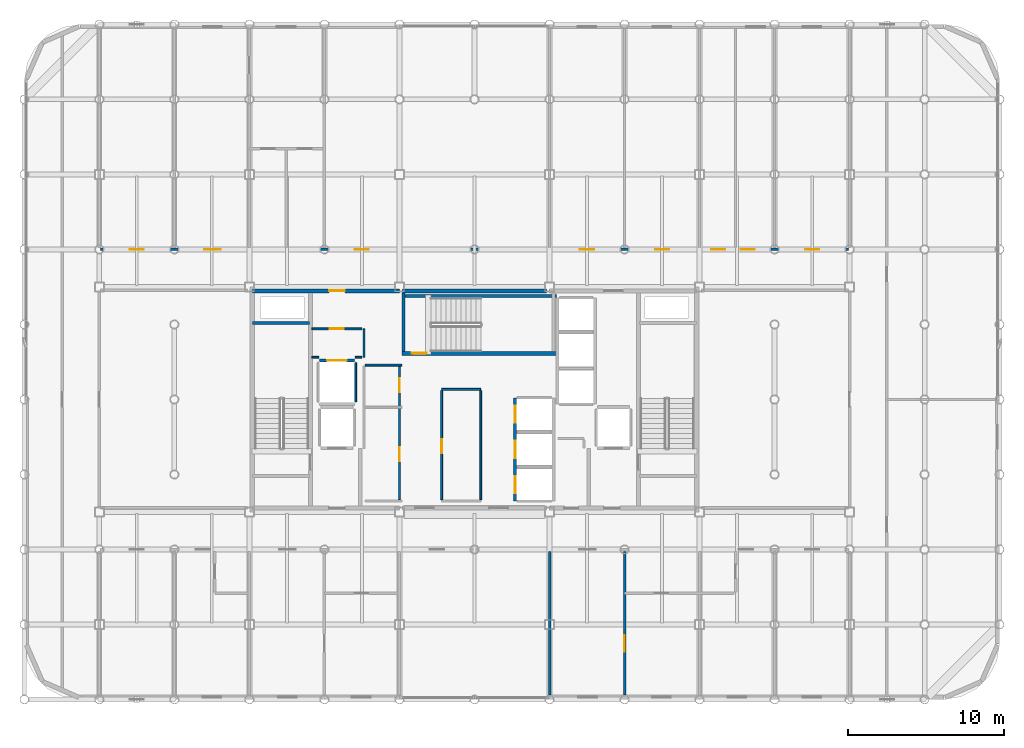
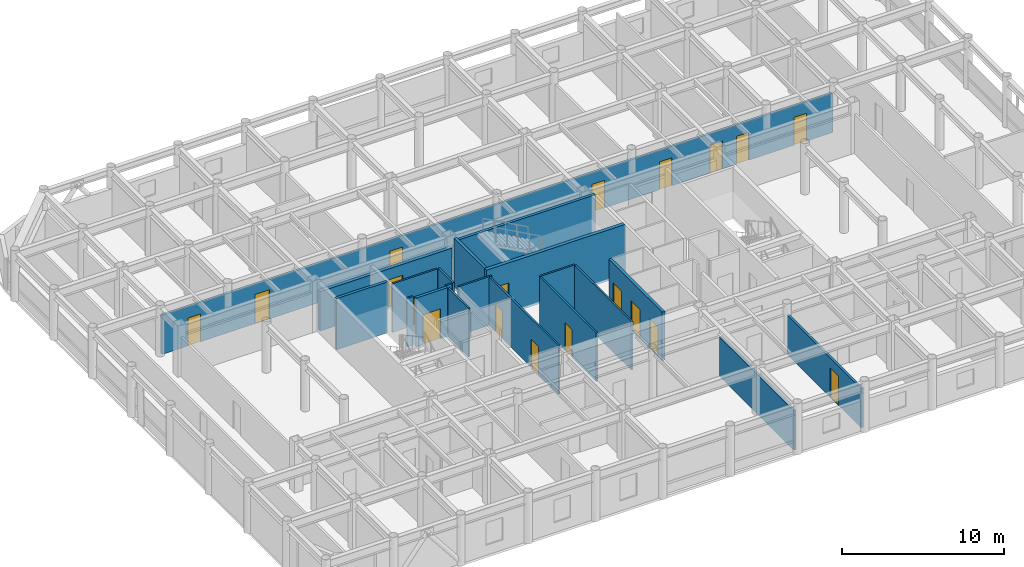
# One storey, part 19 of 22: 21 walls, 19 doors, 19 openings.
"""IFC4 building model written with IfcOpenShell, lengths in metres."""

from ifc_helpers import new_model, si_unit, direction, frame, frame_2d, origin, place, context, subcontext, project, spatial, rectangle, extrude, material, layer, layer_set, type_object, element, fill, save


model = new_model("IFC4")

# Units and contexts
model_context = context("Model", 3, precision=1e-05, world=origin(), true_north=direction((0.0, 1.0)))
body_context = subcontext(model_context, "Body", "Model", "MODEL_VIEW")
ifc_project = project(units=[si_unit("LENGTHUNIT", "METRE"), si_unit("AREAUNIT", "SQUARE_METRE"), si_unit("VOLUMEUNIT", "CUBIC_METRE"), si_unit("PLANEANGLEUNIT", "RADIAN"), si_unit("MASSUNIT", "GRAM", prefix="KILO")], contexts=[model_context])

# Site, building, storey
site_placement = place(None, origin())
site = spatial("IfcSite", under=ifc_project, at=site_placement, CompositionType="ELEMENT")
building_placement = place(site_placement, origin())
building = spatial("IfcBuilding", under=site, at=building_placement, Name="Kallvorn Hotel Tower", CompositionType="ELEMENT")
storey_placement = place(building_placement, frame((0.0, 0.0, 241.550048828125)))
storey = spatial("IfcBuildingStorey", under=building, at=storey_placement, Name="L60", CompositionType="ELEMENT", Elevation=241.550048828125)

# Wall, openings, doors
ifc_material_1 = material(Name="Fire-rated double-layer acoustic gypsum drywall EI 60")
ifc_layer_1 = layer(ifc_material_1, 0.159912109375)
ifc_layer_set_1 = layer_set([ifc_layer_1], Name="WL_DEMISE_160")
wall_type_1 = type_object("IfcWallType", Name="WL_DEMISE_160", PredefinedType="PARTITIONING", material=ifc_layer_set_1)
wall_1_placement = place(storey_placement, frame((-23.919921875, 9.60009765625, 0.0), z_axis=(0.0, 0.0, 1.0), x_axis=(1.0, 0.0, 0.0)))
wall_1 = element("IfcWall", 1, at=wall_1_placement, inside=storey, type_object=wall_type_1, Name="L60 Suite 6005 Junior Living Salon Partition", PredefinedType="PARTITIONING", context=body_context, shape_type="SweptSolid", body=[
    extrude(rectangle(XDim=47.83984375, YDim=0.159912109375, at=frame_2d((23.919921875, 0.0))), origin(), (0.0, 0.0, 1.0), 2.969970703125),
])
opening_1_placement = place(wall_1_placement, frame((1.8701171875, 0.0, 0.0)))
opening_1 = element("IfcOpeningElement", 2, at=opening_1_placement, cuts=wall_1, Name="Opening SVD1", PredefinedType="OPENING", context=body_context, shape_type="SweptSolid", body=[
    extrude(rectangle(XDim=0.89990234375, YDim=2.10009765625, at=frame_2d((0.449951171875, 1.050048828125))), frame((0.0, 0.094970703125, 0.0), z_axis=(0.0, -1.0, 0.0), x_axis=(1.0, 0.0, 0.0)), (0.0, 0.0, 1.0), 0.18994140625),
])
opening_2_placement = place(wall_1_placement, frame((45.070068359375, 0.0, 0.0)))
opening_2 = element("IfcOpeningElement", 3, at=opening_2_placement, cuts=wall_1, Name="Opening SVD1", PredefinedType="OPENING", context=body_context, shape_type="SweptSolid", body=[
    extrude(rectangle(XDim=0.89990234375, YDim=2.10009765625, at=frame_2d((0.449951171875, 1.050048828125))), frame((0.0, 0.094970703125, 0.0), z_axis=(0.0, -1.0, 0.0), x_axis=(1.0, 0.0, 0.0)), (0.0, 0.0, 1.0), 0.18994140625),
])
opening_3_placement = place(wall_1_placement, frame((6.635009765625, 0.0, 0.0)))
opening_3 = element("IfcOpeningElement", 4, at=opening_3_placement, cuts=wall_1, Name="Opening GD2", PredefinedType="OPENING", context=body_context, shape_type="SweptSolid", body=[
    extrude(rectangle(XDim=1.050048828125, YDim=2.199951171875, at=frame_2d((0.52490234375, 1.10009765625))), frame((0.0, 0.094970703125, 0.0), z_axis=(0.0, -1.0, 0.0), x_axis=(1.0, 0.0, 0.0)), (0.0, 0.0, 1.0), 0.18994140625),
])
opening_4_placement = place(wall_1_placement, frame((16.27001953125, 0.0, 0.0)))
opening_4 = element("IfcOpeningElement", 5, at=opening_4_placement, cuts=wall_1, Name="Opening SVD1", PredefinedType="OPENING", context=body_context, shape_type="SweptSolid", body=[
    extrude(rectangle(XDim=0.89990234375, YDim=2.10009765625, at=frame_2d((0.449951171875, 1.050048828125))), frame((0.0, 0.094970703125, 0.0), z_axis=(0.0, -1.0, 0.0), x_axis=(1.0, 0.0, 0.0)), (0.0, 0.0, 1.0), 0.18994140625),
])
opening_5_placement = place(wall_1_placement, frame((30.669921875, 0.0, 0.0)))
opening_5 = element("IfcOpeningElement", 6, at=opening_5_placement, cuts=wall_1, Name="Opening SVD1", PredefinedType="OPENING", context=body_context, shape_type="SweptSolid", body=[
    extrude(rectangle(XDim=0.89990234375, YDim=2.10009765625, at=frame_2d((0.449951171875, 1.050048828125))), frame((0.0, 0.094970703125, 0.0), z_axis=(0.0, -1.0, 0.0), x_axis=(1.0, 0.0, 0.0)), (0.0, 0.0, 1.0), 0.18994140625),
])
opening_6_placement = place(wall_1_placement, frame((35.469970703125, 0.0, 0.0)))
opening_6 = element("IfcOpeningElement", 7, at=opening_6_placement, cuts=wall_1, Name="Opening SVD1", PredefinedType="OPENING", context=body_context, shape_type="SweptSolid", body=[
    extrude(rectangle(XDim=0.89990234375, YDim=2.10009765625, at=frame_2d((0.449951171875, 1.050048828125))), frame((0.0, 0.094970703125, 0.0), z_axis=(0.0, -1.0, 0.0), x_axis=(1.0, 0.0, 0.0)), (0.0, 0.0, 1.0), 0.18994140625),
])
opening_7_placement = place(wall_1_placement, frame((39.070068359375, 0.0, 0.0)))
opening_7 = element("IfcOpeningElement", 8, at=opening_7_placement, cuts=wall_1, Name="Opening SVD1", PredefinedType="OPENING", context=body_context, shape_type="SweptSolid", body=[
    extrude(rectangle(XDim=0.89990234375, YDim=2.10009765625, at=frame_2d((0.449951171875, 1.050048828125))), frame((0.0, 0.094970703125, 0.0), z_axis=(0.0, -1.0, 0.0), x_axis=(1.0, 0.0, 0.0)), (0.0, 0.0, 1.0), 0.18994140625),
])
opening_8_placement = place(wall_1_placement, frame((40.9599609375, 0.0, 0.0)))
opening_8 = element("IfcOpeningElement", 9, at=opening_8_placement, cuts=wall_1, Name="Opening SVD1", PredefinedType="OPENING", context=body_context, shape_type="SweptSolid", body=[
    extrude(rectangle(XDim=0.89990234375, YDim=2.10009765625, at=frame_2d((0.449951171875, 1.050048828125))), frame((0.0, 0.094970703125, 0.0), z_axis=(0.0, -1.0, 0.0), x_axis=(1.0, 0.0, 0.0)), (0.0, 0.0, 1.0), 0.18994140625),
])
ifc_material_2 = material(Name="Galvanised painted steel fire-rated door assembly", Category="steel")
door_type_1 = type_object("IfcDoorType", Name="DR_SERV_900x2100", OperationType="NOTDEFINED", PredefinedType="DOOR", material=ifc_material_2)
door_1_placement = place(opening_1_placement, origin())
door_1 = element("IfcDoor", 10, at=door_1_placement, inside=storey, type_object=door_type_1, Name="L60 L60 High-Zone North-West Reading Salon Door", OperationType="SINGLE_SWING_RIGHT", OverallHeight=2.10009765625, OverallWidth=0.89990234375, PredefinedType="DOOR", context=body_context, shape_type="SweptSolid", body=[
    extrude(rectangle(XDim=0.89990234375, YDim=2.10009765625, at=frame_2d((0.449951171875, 1.050048828125))), frame((0.0, 0.02490234375, 0.0), z_axis=(0.0, -1.0, 0.0), x_axis=(1.0, 0.0, 0.0)), (0.0, 0.0, 1.0), 0.050048828125),
])
fill(opening_1, door_1)
door_2_placement = place(opening_2_placement, origin())
door_2 = element("IfcDoor", 11, at=door_2_placement, inside=storey, type_object=door_type_1, Name="L60 L60 High-Zone North-East Pastry Bar Door", OperationType="SINGLE_SWING_LEFT", OverallHeight=2.10009765625, OverallWidth=0.89990234375, PredefinedType="DOOR", context=body_context, shape_type="SweptSolid", body=[
    extrude(rectangle(XDim=0.89990234375, YDim=2.10009765625, at=frame_2d((0.449951171875, 1.050048828125))), frame((0.0, 0.02490234375, 0.0), z_axis=(0.0, -1.0, 0.0), x_axis=(1.0, 0.0, 0.0)), (0.0, 0.0, 1.0), 0.050048828125),
])
fill(opening_2, door_2)
door_3_placement = place(opening_4_placement, origin())
door_3 = element("IfcDoor", 12, at=door_3_placement, inside=storey, type_object=door_type_1, Name="L60 L60 Restaurant Culinary Catering Kitchen 2 Door", OperationType="SINGLE_SWING_LEFT", OverallHeight=2.10009765625, OverallWidth=0.89990234375, PredefinedType="DOOR", context=body_context, shape_type="SweptSolid", body=[
    extrude(rectangle(XDim=0.89990234375, YDim=2.10009765625, at=frame_2d((0.449951171875, 1.050048828125))), frame((0.0, 0.02490234375, 0.0), z_axis=(0.0, -1.0, 0.0), x_axis=(1.0, 0.0, 0.0)), (0.0, 0.0, 1.0), 0.050048828125),
])
fill(opening_4, door_3)
door_4_placement = place(opening_5_placement, origin())
door_4 = element("IfcDoor", 13, at=door_4_placement, inside=storey, type_object=door_type_1, Name="L60 L60 Panoramic Club Sky Lounge 3-1 Door", OperationType="SINGLE_SWING_LEFT", OverallHeight=2.10009765625, OverallWidth=0.89990234375, PredefinedType="DOOR", context=body_context, shape_type="SweptSolid", body=[
    extrude(rectangle(XDim=0.89990234375, YDim=2.10009765625, at=frame_2d((0.449951171875, 1.050048828125))), frame((0.0, 0.02490234375, 0.0), z_axis=(0.0, -1.0, 0.0), x_axis=(1.0, 0.0, 0.0)), (0.0, 0.0, 1.0), 0.050048828125),
])
fill(opening_5, door_4)
door_5_placement = place(opening_6_placement, origin())
door_5 = element("IfcDoor", 14, at=door_5_placement, inside=storey, type_object=door_type_1, Name="L60 L60 Panoramic Club Sky Lounge 3-2 Door", OperationType="SINGLE_SWING_RIGHT", OverallHeight=2.10009765625, OverallWidth=0.89990234375, PredefinedType="DOOR", context=body_context, shape_type="SweptSolid", body=[
    extrude(rectangle(XDim=0.89990234375, YDim=2.10009765625, at=frame_2d((0.449951171875, 1.050048828125))), frame((0.0, 0.02490234375, 0.0), z_axis=(0.0, -1.0, 0.0), x_axis=(1.0, 0.0, 0.0)), (0.0, 0.0, 1.0), 0.050048828125),
])
fill(opening_6, door_5)
door_6_placement = place(opening_7_placement, origin())
door_6 = element("IfcDoor", 15, at=door_6_placement, inside=storey, type_object=door_type_1, Name="L60 Housekeeping and Linen Room Door", OperationType="SINGLE_SWING_RIGHT", OverallHeight=2.10009765625, OverallWidth=0.89990234375, PredefinedType="DOOR", context=body_context, shape_type="SweptSolid", body=[
    extrude(rectangle(XDim=0.89990234375, YDim=2.10009765625, at=frame_2d((0.449951171875, 1.050048828125))), frame((0.0, 0.02490234375, 0.0), z_axis=(0.0, -1.0, 0.0), x_axis=(1.0, 0.0, 0.0)), (0.0, 0.0, 1.0), 0.050048828125),
])
fill(opening_7, door_6)
door_7_placement = place(opening_8_placement, origin())
door_7 = element("IfcDoor", 16, at=door_7_placement, inside=storey, type_object=door_type_1, Name="L60 Guest Tea and Refreshment Bar Door", OperationType="SINGLE_SWING_LEFT", OverallHeight=2.10009765625, OverallWidth=0.89990234375, PredefinedType="DOOR", context=body_context, shape_type="SweptSolid", body=[
    extrude(rectangle(XDim=0.89990234375, YDim=2.10009765625, at=frame_2d((0.449951171875, 1.050048828125))), frame((0.0, 0.02490234375, 0.0), z_axis=(0.0, -1.0, 0.0), x_axis=(1.0, 0.0, 0.0)), (0.0, 0.0, 1.0), 0.050048828125),
])
fill(opening_8, door_7)
ifc_material_3 = material(Name="Solid-core walnut veneer fire-rated timber door leaf", Category="wood")
door_type_2 = type_object("IfcDoorType", Name="DR_SUITE_1050x2200", OperationType="NOTDEFINED", PredefinedType="DOOR", material=ifc_material_3)
door_8_placement = place(opening_3_placement, origin())
door_8 = element("IfcDoor", 17, at=door_8_placement, inside=storey, type_object=door_type_2, Name="L60 Suite 6005 Junior Living Salon Door", OperationType="SINGLE_SWING_RIGHT", OverallHeight=2.199951171875, OverallWidth=1.050048828125, PredefinedType="DOOR", context=body_context, shape_type="SweptSolid", body=[
    extrude(rectangle(XDim=1.050048828125, YDim=2.199951171875, at=frame_2d((0.52490234375, 1.10009765625))), frame((0.0, 0.02490234375, 0.0), z_axis=(0.0, -1.0, 0.0), x_axis=(1.0, 0.0, 0.0)), (0.0, 0.0, 1.0), 0.050048828125),
])
fill(opening_3, door_8)

# Wall
wall_2_placement = place(storey_placement, frame((4.800048828125, -18.909912109375, 0.0), z_axis=(0.0, 0.0, 1.0), x_axis=(0.0, 1.0, 0.0)))
element("IfcWall", 18, at=wall_2_placement, inside=storey, type_object=wall_type_1, Name="L60 Suite 6003 Executive Living Salon Partition", PredefinedType="PARTITIONING", context=body_context, shape_type="SweptSolid", body=[
    extrude(rectangle(XDim=9.18994140625, YDim=0.159912109375, at=frame_2d((4.594970703125, 0.0))), origin(), (0.0, 0.0, 1.0), 2.969970703125),
])

# Wall, opening, door
wall_3_placement = place(storey_placement, frame((9.60009765625, -18.909912109375, 0.0), z_axis=(0.0, 0.0, 1.0), x_axis=(0.0, 1.0, 0.0)))
wall_3 = element("IfcWall", 19, at=wall_3_placement, inside=storey, type_object=wall_type_1, Name="L60 Suite 6003 Executive Bedroom Partition", PredefinedType="PARTITIONING", context=body_context, shape_type="SweptSolid", body=[
    extrude(rectangle(XDim=9.18994140625, YDim=0.159912109375, at=frame_2d((4.594970703125, 0.0))), origin(), (0.0, 0.0, 1.0), 2.969970703125),
])
opening_9_placement = place(wall_3_placement, frame((2.77490234375, 0.0, 0.0)))
opening_9 = element("IfcOpeningElement", 20, at=opening_9_placement, cuts=wall_3, Name="Opening GD2", PredefinedType="OPENING", context=body_context, shape_type="SweptSolid", body=[
    extrude(rectangle(XDim=1.050048828125, YDim=2.199951171875, at=frame_2d((0.52490234375, 1.10009765625))), frame((0.0, 0.094970703125, 0.0), z_axis=(0.0, -1.0, 0.0), x_axis=(1.0, 0.0, 0.0)), (0.0, 0.0, 1.0), 0.18994140625),
])
door_9_placement = place(opening_9_placement, origin())
door_9 = element("IfcDoor", 21, at=door_9_placement, inside=storey, type_object=door_type_2, Name="L60 Suite 6003 Executive Bedroom Door", OperationType="SINGLE_SWING_LEFT", OverallHeight=2.199951171875, OverallWidth=1.050048828125, PredefinedType="DOOR", context=body_context, shape_type="SweptSolid", body=[
    extrude(rectangle(XDim=1.050048828125, YDim=2.199951171875, at=frame_2d((0.52490234375, 1.10009765625))), frame((0.0, 0.02490234375, 0.0), z_axis=(0.0, -1.0, 0.0), x_axis=(1.0, 0.0, 0.0)), (0.0, 0.0, 1.0), 0.050048828125),
])
fill(opening_9, door_9)

# Walls
ifc_material_4 = material(Name="Concrete C40/50", Category="concrete")
ifc_layer_2 = layer(ifc_material_4, 0.199951171875)
ifc_layer_set_2 = layer_set([ifc_layer_2], Name="WL_HOIST_200")
wall_type_2 = type_object("IfcWallType", Name="WL_HOIST_200", PredefinedType="SOLIDWALL", material=ifc_layer_set_2)
wall_4_placement = place(storey_placement, frame((-14.199951171875, 4.89990234375, -0.179931640625), z_axis=(0.0, 0.0, 1.0), x_axis=(1.0, 0.0, 0.0)))
element("IfcWall", 22, at=wall_4_placement, inside=storey, type_object=wall_type_2, Name="L60 Stair ST1 North Wall", PredefinedType="SOLIDWALL", context=body_context, shape_type="SweptSolid", body=[
    extrude(rectangle(XDim=3.64990234375, YDim=0.199951171875, at=frame_2d((1.824951171875, 0.0))), origin(), (0.0, 0.0, 1.0), 3.849853515625),
])
wall_5_placement = place(storey_placement, frame((-4.64990234375, 6.610107421875, -0.179931640625), z_axis=(0.0, 0.0, 1.0), x_axis=(1.0, 0.0, 0.0)))
element("IfcWall", 23, at=wall_5_placement, inside=storey, type_object=wall_type_2, Name="L60 Stair ST3 Shaft North Wall", PredefinedType="SOLIDWALL", context=body_context, shape_type="SweptSolid", body=[
    extrude(rectangle(XDim=9.89990234375, YDim=0.199951171875, at=frame_2d((4.949951171875, 0.0))), origin(), (0.0, 0.0, 1.0), 3.849853515625),
])
wall_6_placement = place(storey_placement, frame((-4.550048828125, 3.080078125, -0.179931640625), z_axis=(0.0, 0.0, 1.0), x_axis=(0.0, 1.0, 0.0)))
element("IfcWall", 24, at=wall_6_placement, inside=storey, type_object=wall_type_2, Name="L60 Stair ST3 West Wall", PredefinedType="SOLIDWALL", context=body_context, shape_type="SweptSolid", body=[
    extrude(rectangle(XDim=3.739990234375, YDim=0.199951171875, at=frame_2d((1.8701171875, 0.0))), origin(), (0.0, 0.0, 1.0), 3.849853515625),
])

# Wall, openings, doors
wall_7_placement = place(storey_placement, frame((2.60009765625, -6.5, 0.0), z_axis=(0.0, 0.0, 1.0), x_axis=(0.0, 1.0, 0.0)))
wall_7 = element("IfcWall", 25, at=wall_7_placement, inside=storey, type_object=wall_type_2, Name="L60 Lift Bank B3A Landing Wall", PredefinedType="SOLIDWALL", context=body_context, shape_type="SweptSolid", body=[
    extrude(rectangle(XDim=6.60009765625, YDim=0.199951171875, at=frame_2d((3.300048828125, 0.0))), origin(), (0.0, 0.0, 1.0), 3.669921875),
])
opening_10_placement = place(wall_7_placement, frame((0.5, 0.0, 0.0)))
opening_10 = element("IfcOpeningElement", 26, at=opening_10_placement, cuts=wall_7, Name="Opening LD-PL-09", PredefinedType="OPENING", context=body_context, shape_type="SweptSolid", body=[
    extrude(rectangle(XDim=1.10009765625, YDim=2.199951171875, at=frame_2d((0.550048828125, 1.10009765625))), frame((0.0, 0.114990234375, 0.0), z_axis=(0.0, -1.0, 0.0), x_axis=(1.0, 0.0, 0.0)), (0.0, 0.0, 1.0), 0.22998046875),
])
opening_11_placement = place(wall_7_placement, frame((2.75, 0.0, 0.0)))
opening_11 = element("IfcOpeningElement", 27, at=opening_11_placement, cuts=wall_7, Name="Opening LD-PL-10", PredefinedType="OPENING", context=body_context, shape_type="SweptSolid", body=[
    extrude(rectangle(XDim=1.10009765625, YDim=2.199951171875, at=frame_2d((0.550048828125, 1.10009765625))), frame((0.0, 0.114990234375, 0.0), z_axis=(0.0, -1.0, 0.0), x_axis=(1.0, 0.0, 0.0)), (0.0, 0.0, 1.0), 0.22998046875),
])
opening_12_placement = place(wall_7_placement, frame((5.0, 0.0, 0.0)))
opening_12 = element("IfcOpeningElement", 28, at=opening_12_placement, cuts=wall_7, Name="Opening LD-PL-11", PredefinedType="OPENING", context=body_context, shape_type="SweptSolid", body=[
    extrude(rectangle(XDim=1.10009765625, YDim=2.199951171875, at=frame_2d((0.550048828125, 1.10009765625))), frame((0.0, 0.114990234375, 0.0), z_axis=(0.0, -1.0, 0.0), x_axis=(1.0, 0.0, 0.0)), (0.0, 0.0, 1.0), 0.22998046875),
])
ifc_material_5 = material(Name="Brushed stainless-steel automatic sliding lift landing door", Category="steel")
door_type_3 = type_object("IfcDoorType", Name="LD_PASS_1100x2200", OperationType="SLIDING_TO_LEFT", PredefinedType="DOOR", material=ifc_material_5)
door_10_placement = place(opening_10_placement, origin())
door_10 = element("IfcDoor", 29, at=door_10_placement, inside=storey, type_object=door_type_3, Name="L60 Lift Landing Sliding Door LD-PL-09", OperationType="SLIDING_TO_LEFT", OverallHeight=2.199951171875, OverallWidth=1.10009765625, PredefinedType="DOOR", context=body_context, shape_type="SweptSolid", body=[
    extrude(rectangle(XDim=1.10009765625, YDim=2.199951171875, at=frame_2d((0.550048828125, 1.10009765625))), frame((0.0, 0.02490234375, 0.0), z_axis=(0.0, -1.0, 0.0), x_axis=(1.0, 0.0, 0.0)), (0.0, 0.0, 1.0), 0.050048828125),
])
fill(opening_10, door_10)
door_11_placement = place(opening_11_placement, origin())
door_11 = element("IfcDoor", 30, at=door_11_placement, inside=storey, type_object=door_type_3, Name="L60 Lift Landing Sliding Door LD-PL-10", OperationType="SLIDING_TO_LEFT", OverallHeight=2.199951171875, OverallWidth=1.10009765625, PredefinedType="DOOR", context=body_context, shape_type="SweptSolid", body=[
    extrude(rectangle(XDim=1.10009765625, YDim=2.199951171875, at=frame_2d((0.550048828125, 1.10009765625))), frame((0.0, 0.02490234375, 0.0), z_axis=(0.0, -1.0, 0.0), x_axis=(1.0, 0.0, 0.0)), (0.0, 0.0, 1.0), 0.050048828125),
])
fill(opening_11, door_11)
door_12_placement = place(opening_12_placement, origin())
door_12 = element("IfcDoor", 31, at=door_12_placement, inside=storey, type_object=door_type_3, Name="L60 Lift Landing Sliding Door LD-PL-11", OperationType="SLIDING_TO_LEFT", OverallHeight=2.199951171875, OverallWidth=1.10009765625, PredefinedType="DOOR", context=body_context, shape_type="SweptSolid", body=[
    extrude(rectangle(XDim=1.10009765625, YDim=2.199951171875, at=frame_2d((0.550048828125, 1.10009765625))), frame((0.0, 0.02490234375, 0.0), z_axis=(0.0, -1.0, 0.0), x_axis=(1.0, 0.0, 0.0)), (0.0, 0.0, 1.0), 0.050048828125),
])
fill(opening_12, door_12)

# Wall, opening, door
wall_8_placement = place(storey_placement, frame((-9.919921875, 2.5, 0.0), z_axis=(0.0, 0.0, 1.0), x_axis=(1.0, 0.0, 0.0)))
wall_8 = element("IfcWall", 32, at=wall_8_placement, inside=storey, type_object=wall_type_2, Name="L60 SV-01 Landing Wall", PredefinedType="SOLIDWALL", context=body_context, shape_type="SweptSolid", body=[
    extrude(rectangle(XDim=2.239990234375, YDim=0.199951171875, at=frame_2d((1.1201171875, 0.0))), origin(), (0.0, 0.0, 1.0), 3.669921875),
])
opening_13_placement = place(wall_8_placement, frame((0.4951171875, 0.0, 0.0)))
opening_13 = element("IfcOpeningElement", 33, at=opening_13_placement, cuts=wall_8, Name="Opening LD-SV-01", PredefinedType="OPENING", context=body_context, shape_type="SweptSolid", body=[
    extrude(rectangle(XDim=1.25, YDim=2.25, at=frame_2d((0.625, 1.125))), frame((0.0, 0.114990234375, 0.0), z_axis=(0.0, -1.0, 0.0), x_axis=(1.0, 0.0, 0.0)), (0.0, 0.0, 1.0), 0.22998046875),
])
ifc_material_6 = material(Name="Brushed stainless-steel automatic sliding lift landing door", Category="steel")
door_type_4 = type_object("IfcDoorType", Name="LD_SERV_1250x2250", OperationType="SLIDING_TO_LEFT", PredefinedType="DOOR", material=ifc_material_6)
door_13_placement = place(opening_13_placement, origin())
door_13 = element("IfcDoor", 34, at=door_13_placement, inside=storey, type_object=door_type_4, Name="L60 Lift Landing Sliding Door LD-SV-01", OperationType="SLIDING_TO_LEFT", OverallHeight=2.25, OverallWidth=1.25, PredefinedType="DOOR", context=body_context, shape_type="SweptSolid", body=[
    extrude(rectangle(XDim=1.25, YDim=2.25, at=frame_2d((0.625, 1.125))), frame((0.0, 0.02490234375, 0.0), z_axis=(0.0, -1.0, 0.0), x_axis=(1.0, 0.0, 0.0)), (0.0, 0.0, 1.0), 0.050048828125),
])
fill(opening_13, door_13)

# Walls
ifc_material_7 = material(Name="Fire-rated double-layer acoustic gypsum drywall EI 60")
ifc_layer_3 = layer(ifc_material_7, 0.1201171875)
ifc_layer_set_3 = layer_set([ifc_layer_3], Name="WL_INT_120")
wall_type_3 = type_object("IfcWallType", Name="WL_INT_120", PredefinedType="PARTITIONING", material=ifc_layer_set_3)
wall_9_placement = place(storey_placement, frame((-7.60009765625, -0.159912109375, 0.0), z_axis=(0.0, 0.0, 1.0), x_axis=(0.0, 1.0, 0.0)))
element("IfcWall", 35, at=wall_9_placement, inside=storey, type_object=wall_type_3, Name="L60 SV-01 East Shaft Wall", PredefinedType="PARTITIONING", context=body_context, shape_type="SweptSolid", body=[
    extrude(rectangle(XDim=2.52001953125, YDim=0.1201171875, at=frame_2d((1.260009765625, 0.0))), origin(), (0.0, 0.0, 1.0), 3.669921875),
])
wall_10_placement = place(storey_placement, frame((-2.10009765625, 0.64990234375, 0.0), z_axis=(0.0, 0.0, 1.0), x_axis=(1.0, 0.0, 0.0)))
element("IfcWall", 36, at=wall_10_placement, inside=storey, type_object=wall_type_3, Name="L60 High-Zone IT and Tableware Reserve Room Partition", PredefinedType="PARTITIONING", context=body_context, shape_type="SweptSolid", body=[
    extrude(rectangle(XDim=2.5, YDim=0.1201171875, at=frame_2d((1.25, 0.0))), origin(), (0.0, 0.0, 1.0), 3.669921875),
])
wall_11_placement = place(storey_placement, frame((-7.0, 2.199951171875, 0.0), z_axis=(0.0, 0.0, 1.0), x_axis=(1.0, 0.0, 0.0)))
element("IfcWall", 37, at=wall_11_placement, inside=storey, type_object=wall_type_3, Name="L60 Recaptured Housekeeping Prep Room Partition", PredefinedType="PARTITIONING", context=body_context, shape_type="SweptSolid", body=[
    extrude(rectangle(XDim=2.35009765625, YDim=0.1201171875, at=frame_2d((1.175048828125, 0.0))), origin(), (0.0, 0.0, 1.0), 3.669921875),
])
for number, where, z_axis, x_axis, name in (
    (38, (-10.39990234375, 2.699951171875, 0.0), (0.0, 0.0, 1.0), (1.0, 0.0, 0.0), "L60 Core Telecom and Metering Store Partition"),
    (39, (-7.639892578125, 2.699951171875, 0.0), (0.0, 0.0, 1.0), (1.0, 0.0, 0.0), "L60 Core Telecom and Metering Store Partition"),
):
    element("IfcWall", number, at=place(storey_placement, frame(where, z_axis=z_axis, x_axis=x_axis)), inside=storey, type_object=wall_type_3, Name=name, PredefinedType="PARTITIONING", context=body_context, shape_type="SweptSolid", body=[
        extrude(rectangle(XDim=0.43994140625, YDim=0.1201171875, at=frame_2d((0.219970703125, 0.0))), origin(), (0.0, 0.0, 1.0), 3.669921875),
    ])

# Wall, opening, door
wall_12_placement = place(storey_placement, frame((-10.39990234375, 4.52001953125, 0.0), z_axis=(0.0, 0.0, 1.0), x_axis=(1.0, 0.0, 0.0)))
wall_12 = element("IfcWall", 40, at=wall_12_placement, inside=storey, type_object=wall_type_3, Name="L60 Core Telecom and Metering Store Partition", PredefinedType="PARTITIONING", context=body_context, shape_type="SweptSolid", body=[
    extrude(rectangle(XDim=3.199951171875, YDim=0.1201171875, at=frame_2d((1.60009765625, 0.0))), origin(), (0.0, 0.0, 1.0), 3.669921875),
])
opening_14_placement = place(wall_12_placement, frame((1.14990234375, 0.0, 0.0)))
opening_14 = element("IfcOpeningElement", 41, at=opening_14_placement, cuts=wall_12, Name="Opening SVD1", PredefinedType="OPENING", context=body_context, shape_type="SweptSolid", body=[
    extrude(rectangle(XDim=0.89990234375, YDim=2.10009765625, at=frame_2d((0.449951171875, 1.050048828125))), frame((0.0, 0.074951171875, 0.0), z_axis=(0.0, -1.0, 0.0), x_axis=(1.0, 0.0, 0.0)), (0.0, 0.0, 1.0), 0.150146484375),
])
door_14_placement = place(opening_14_placement, origin())
door_14 = element("IfcDoor", 42, at=door_14_placement, inside=storey, type_object=door_type_1, Name="L60 Core Telecom and Metering Store Door", OperationType="SINGLE_SWING_LEFT", OverallHeight=2.10009765625, OverallWidth=0.89990234375, PredefinedType="DOOR", context=body_context, shape_type="SweptSolid", body=[
    extrude(rectangle(XDim=0.89990234375, YDim=2.10009765625, at=frame_2d((0.449951171875, 1.050048828125))), frame((0.0, 0.02490234375, 0.0), z_axis=(0.0, -1.0, 0.0), x_axis=(1.0, 0.0, 0.0)), (0.0, 0.0, 1.0), 0.050048828125),
])
fill(opening_14, door_14)

# Wall
wall_13_placement = place(storey_placement, frame((-7.066650390625, 2.699951171875, 0.0), z_axis=(0.0, 0.0, 1.0), x_axis=(0.0, 1.0, 0.0)))
element("IfcWall", 43, at=wall_13_placement, inside=storey, type_object=wall_type_3, Name="L60 Core Telecom and Metering Store Partition", PredefinedType="PARTITIONING", context=body_context, shape_type="SweptSolid", body=[
    extrude(rectangle(XDim=1.820068359375, YDim=0.1201171875, at=frame_2d((0.91015625, 0.0))), origin(), (0.0, 0.0, 1.0), 3.669921875),
])

# Wall, openings, doors
wall_14_placement = place(storey_placement, frame((-4.800048828125, -6.4150390625, 0.0), z_axis=(0.0, 0.0, 1.0), x_axis=(0.0, 1.0, 0.0)))
wall_14 = element("IfcWall", 44, at=wall_14_placement, inside=storey, type_object=wall_type_3, Name="L60 Recaptured Full-Depth Sommelier Store Partition", PredefinedType="PARTITIONING", context=body_context, shape_type="SweptSolid", body=[
    extrude(rectangle(XDim=8.530029296875, YDim=0.1201171875, at=frame_2d((4.26513671875, 0.0))), origin(), (0.0, 0.0, 1.0), 3.669921875),
])
opening_15_placement = place(wall_14_placement, frame((2.465087890625, 0.0, 0.0)))
opening_15 = element("IfcOpeningElement", 45, at=opening_15_placement, cuts=wall_14, Name="Opening SVD1", PredefinedType="OPENING", context=body_context, shape_type="SweptSolid", body=[
    extrude(rectangle(XDim=0.89990234375, YDim=2.10009765625, at=frame_2d((0.449951171875, 1.050048828125))), frame((0.0, 0.074951171875, 0.0), z_axis=(0.0, -1.0, 0.0), x_axis=(1.0, 0.0, 0.0)), (0.0, 0.0, 1.0), 0.150146484375),
])
opening_16_placement = place(wall_14_placement, frame((6.864990234375, 0.0, 0.0)))
opening_16 = element("IfcOpeningElement", 46, at=opening_16_placement, cuts=wall_14, Name="Opening SVD1", PredefinedType="OPENING", context=body_context, shape_type="SweptSolid", body=[
    extrude(rectangle(XDim=0.89990234375, YDim=2.10009765625, at=frame_2d((0.449951171875, 1.050048828125))), frame((0.0, 0.074951171875, 0.0), z_axis=(0.0, -1.0, 0.0), x_axis=(1.0, 0.0, 0.0)), (0.0, 0.0, 1.0), 0.150146484375),
])
door_15_placement = place(opening_15_placement, origin())
door_15 = element("IfcDoor", 47, at=door_15_placement, inside=storey, type_object=door_type_1, Name="L60 Recaptured Full-Depth Sommelier Store Door", OperationType="SINGLE_SWING_LEFT", OverallHeight=2.10009765625, OverallWidth=0.89990234375, PredefinedType="DOOR", context=body_context, shape_type="SweptSolid", body=[
    extrude(rectangle(XDim=0.89990234375, YDim=2.10009765625, at=frame_2d((0.449951171875, 1.050048828125))), frame((0.0, 0.02490234375, 0.0), z_axis=(0.0, -1.0, 0.0), x_axis=(1.0, 0.0, 0.0)), (0.0, 0.0, 1.0), 0.050048828125),
])
fill(opening_15, door_15)
door_16_placement = place(opening_16_placement, origin())
door_16 = element("IfcDoor", 48, at=door_16_placement, inside=storey, type_object=door_type_1, Name="L60 Recaptured Housekeeping Prep Room Door", OperationType="SINGLE_SWING_LEFT", OverallHeight=2.10009765625, OverallWidth=0.89990234375, PredefinedType="DOOR", context=body_context, shape_type="SweptSolid", body=[
    extrude(rectangle(XDim=0.89990234375, YDim=2.10009765625, at=frame_2d((0.449951171875, 1.050048828125))), frame((0.0, 0.02490234375, 0.0), z_axis=(0.0, -1.0, 0.0), x_axis=(1.0, 0.0, 0.0)), (0.0, 0.0, 1.0), 0.050048828125),
])
fill(opening_16, door_16)

# Wall, opening, door
wall_15_placement = place(storey_placement, frame((-2.10009765625, -6.4150390625, 0.0), z_axis=(0.0, 0.0, 1.0), x_axis=(0.0, 1.0, 0.0)))
wall_15 = element("IfcWall", 49, at=wall_15_placement, inside=storey, type_object=wall_type_3, Name="L60 High-Zone IT and Tableware Reserve Room Partition", PredefinedType="PARTITIONING", context=body_context, shape_type="SweptSolid", body=[
    extrude(rectangle(XDim=6.97998046875, YDim=0.1201171875, at=frame_2d((3.489990234375, 0.0))), origin(), (0.0, 0.0, 1.0), 3.669921875),
])
opening_17_placement = place(wall_15_placement, frame((2.965087890625, 0.0, 0.0)))
opening_17 = element("IfcOpeningElement", 50, at=opening_17_placement, cuts=wall_15, Name="Opening SVD1", PredefinedType="OPENING", context=body_context, shape_type="SweptSolid", body=[
    extrude(rectangle(XDim=0.89990234375, YDim=2.10009765625, at=frame_2d((0.449951171875, 1.050048828125))), frame((0.0, 0.074951171875, 0.0), z_axis=(0.0, -1.0, 0.0), x_axis=(1.0, 0.0, 0.0)), (0.0, 0.0, 1.0), 0.150146484375),
])
door_17_placement = place(opening_17_placement, origin())
door_17 = element("IfcDoor", 51, at=door_17_placement, inside=storey, type_object=door_type_1, Name="L60 High-Zone IT and Tableware Reserve Room Door", OperationType="SINGLE_SWING_LEFT", OverallHeight=2.10009765625, OverallWidth=0.89990234375, PredefinedType="DOOR", context=body_context, shape_type="SweptSolid", body=[
    extrude(rectangle(XDim=0.89990234375, YDim=2.10009765625, at=frame_2d((0.449951171875, 1.050048828125))), frame((0.0, 0.02490234375, 0.0), z_axis=(0.0, -1.0, 0.0), x_axis=(1.0, 0.0, 0.0)), (0.0, 0.0, 1.0), 0.050048828125),
])
fill(opening_17, door_17)

# Wall
wall_16_placement = place(storey_placement, frame((0.39990234375, -6.4150390625, 0.0), z_axis=(0.0, 0.0, 1.0), x_axis=(0.0, 1.0, 0.0)))
element("IfcWall", 52, at=wall_16_placement, inside=storey, type_object=wall_type_3, Name="L60 High-Zone IT and Tableware Reserve Room Partition", PredefinedType="PARTITIONING", context=body_context, shape_type="SweptSolid", body=[
    extrude(rectangle(XDim=6.97998046875, YDim=0.1201171875, at=frame_2d((3.489990234375, 0.0))), origin(), (0.0, 0.0, 1.0), 3.669921875),
])

# Wall, opening, door
ifc_material_8 = material(Name="Concrete C40/50", Category="concrete")
ifc_layer_4 = layer(ifc_material_8, 0.25)
ifc_layer_set_4 = layer_set([ifc_layer_4], Name="WL_SHAFT_250")
wall_type_4 = type_object("IfcWallType", Name="WL_SHAFT_250", PredefinedType="SOLIDWALL", material=ifc_layer_set_4)
wall_17_placement = place(storey_placement, frame((-14.199951171875, 6.949951171875, 0.0), z_axis=(0.0, 0.0, 1.0), x_axis=(1.0, 0.0, 0.0)))
wall_17 = element("IfcWall", 53, at=wall_17_placement, inside=storey, type_object=wall_type_4, Name="L60 Core North-West Wall", PredefinedType="SOLIDWALL", context=body_context, shape_type="SweptSolid", body=[
    extrude(rectangle(XDim=9.39990234375, YDim=0.25, at=frame_2d((4.699951171875, 0.0))), origin(), (0.0, 0.0, 1.0), 2.969970703125),
])
opening_18_placement = place(wall_17_placement, frame((4.89990234375, 0.0, 0.0)))
opening_18 = element("IfcOpeningElement", 54, at=opening_18_placement, cuts=wall_17, Name="Opening FD1", PredefinedType="OPENING", context=body_context, shape_type="SweptSolid", body=[
    extrude(rectangle(XDim=1.0, YDim=2.14990234375, at=frame_2d((0.5, 1.074951171875))), frame((0.0, 0.139892578125, 0.0), z_axis=(0.0, -1.0, 0.0), x_axis=(1.0, 0.0, 0.0)), (0.0, 0.0, 1.0), 0.280029296875),
])
ifc_material_9 = material(Name="Galvanised painted steel fire-rated door assembly", Category="steel")
door_type_5 = type_object("IfcDoorType", Name="DR_FFL_1000x2150", OperationType="NOTDEFINED", PredefinedType="DOOR", material=ifc_material_9)
door_18_placement = place(opening_18_placement, origin())
door_18 = element("IfcDoor", 55, at=door_18_placement, inside=storey, type_object=door_type_5, Name="L60 Service Lift Lobby Door", OperationType="SINGLE_SWING_RIGHT", OverallHeight=2.14990234375, OverallWidth=1.0, PredefinedType="DOOR", context=body_context, shape_type="SweptSolid", body=[
    extrude(rectangle(XDim=1.0, YDim=2.14990234375, at=frame_2d((0.5, 1.074951171875))), frame((0.0, 0.02490234375, 0.0), z_axis=(0.0, -1.0, 0.0), x_axis=(1.0, 0.0, 0.0)), (0.0, 0.0, 1.0), 0.050048828125),
])
fill(opening_18, door_18)

# Wall
wall_18_placement = place(storey_placement, frame((-4.60009765625, 6.949951171875, 0.0), z_axis=(0.0, 0.0, 1.0), x_axis=(1.0, 0.0, 0.0)))
element("IfcWall", 56, at=wall_18_placement, inside=storey, type_object=wall_type_4, Name="L60 Core North-Central Wall", PredefinedType="SOLIDWALL", context=body_context, shape_type="SweptSolid", body=[
    extrude(rectangle(XDim=9.2001953125, YDim=0.25, at=frame_2d((4.60009765625, 0.0))), origin(), (0.0, 0.0, 1.0), 2.969970703125),
])

# Wall, opening, door
wall_19_placement = place(storey_placement, frame((-4.64990234375, 2.949951171875, -0.179931640625), z_axis=(0.0, 0.0, 1.0), x_axis=(1.0, 0.0, 0.0)))
wall_19 = element("IfcWall", 57, at=wall_19_placement, inside=storey, type_object=wall_type_4, Name="L60 Stair ST3 Shaft South Wall", PredefinedType="SOLIDWALL", context=body_context, shape_type="SweptSolid", body=[
    extrude(rectangle(XDim=9.89990234375, YDim=0.25, at=frame_2d((4.949951171875, 0.0))), origin(), (0.0, 0.0, 1.0), 3.849853515625),
])
opening_19_placement = place(wall_19_placement, frame((0.64990234375, 0.0, 0.179931640625)))
opening_19 = element("IfcOpeningElement", 58, at=opening_19_placement, cuts=wall_19, Name="Opening SD1", PredefinedType="OPENING", context=body_context, shape_type="SweptSolid", body=[
    extrude(rectangle(XDim=0.949951171875, YDim=2.14990234375, at=frame_2d((0.47509765625, 1.074951171875))), frame((0.0, 0.139892578125, 0.0), z_axis=(0.0, -1.0, 0.0), x_axis=(1.0, 0.0, 0.0)), (0.0, 0.0, 1.0), 0.280029296875),
])
ifc_material_10 = material(Name="Galvanised painted steel fire-rated door assembly", Category="steel")
door_type_6 = type_object("IfcDoorType", Name="DR_STAIR_950x2150", OperationType="NOTDEFINED", PredefinedType="DOOR", material=ifc_material_10)
door_19_placement = place(opening_19_placement, origin())
door_19 = element("IfcDoor", 59, at=door_19_placement, inside=storey, type_object=door_type_6, Name="L60 Exit Stair ST3 Fire Door", OperationType="SINGLE_SWING_LEFT", OverallHeight=2.14990234375, OverallWidth=0.949951171875, PredefinedType="DOOR", context=body_context, shape_type="SweptSolid", body=[
    extrude(rectangle(XDim=0.949951171875, YDim=2.14990234375, at=frame_2d((0.47509765625, 1.074951171875))), frame((0.0, 0.02490234375, 0.0), z_axis=(0.0, -1.0, 0.0), x_axis=(1.0, 0.0, 0.0)), (0.0, 0.0, 1.0), 0.050048828125),
])
fill(opening_19, door_19)

save(model, "model.ifc")
